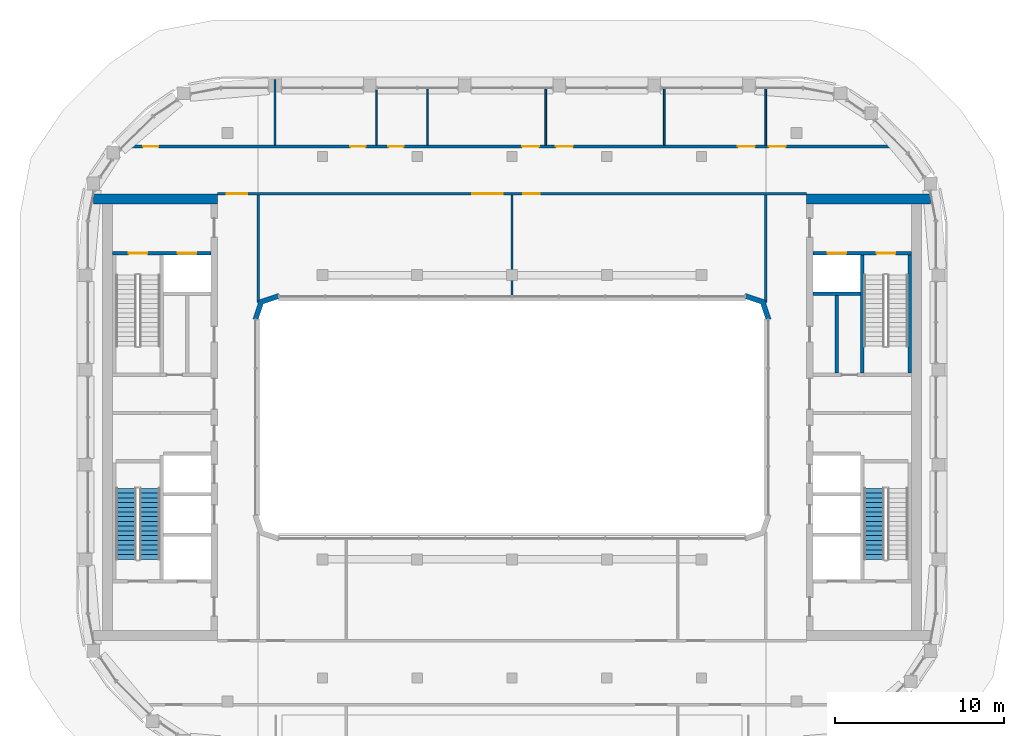
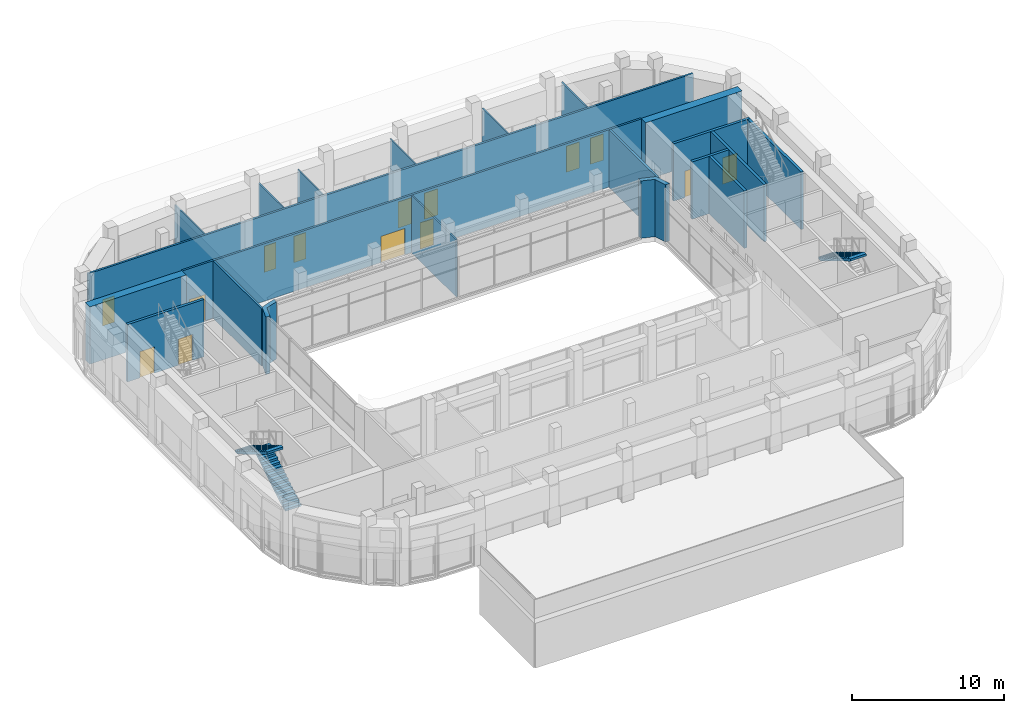
# One storey, part 15 of 23: 21 walls, 14 doors, 3 stair flights, 14 openings, 2 elements without a shape of their own.
"""IFC4 building model written with IfcOpenShell, lengths in metres."""

import ifcopenshell
import ifcopenshell.guid

model = None  # the IFC model being written
_history = None  # IfcOwnerHistory: only IFC2X3 demands one
_inside = {}  # id of a spatial element -> (the spatial element, [elements in it])
_under = {}  # id of a project, library or spatial element -> (it, [spatial elements below it])
_declared = {}  # id of a project -> (the project, [libraries it declares])
_typed = {}  # id of a type object -> (the type object, [elements of that type])
_made_of = {}  # id of a material, layer set ... -> (it, [elements and type objects made of it])


def new_model(schema):
    """Start an empty IFC model of exactly this schema.

    Asked for "IFC4X3", IfcOpenShell would pick the latest addendum, in which some entities
    have other attributes; the version numbers below select the first issue.
    IFC2X3 requires an IfcOwnerHistory on every rooted entity: one is made here for all.
    """
    global model, _history
    if schema == "IFC4X3":
        model = ifcopenshell.file(schema_version=(4, 3, 0, 0))
    else:
        model = ifcopenshell.file(schema=schema)
    _inside.clear()
    _under.clear()
    _declared.clear()
    _typed.clear()
    _made_of.clear()
    _history = None
    if model.schema == "IFC2X3":
        org = make("IfcOrganization", Name="unknown")
        user = make(
            "IfcPersonAndOrganization",
            ThePerson=make("IfcPerson", FamilyName="unknown"),
            TheOrganization=org,
        )
        app = make(
            "IfcApplication",
            ApplicationDeveloper=org,
            Version="unknown",
            ApplicationFullName="unknown",
            ApplicationIdentifier="unknown",
        )
        _history = make(
            "IfcOwnerHistory",
            OwningUser=user,
            OwningApplication=app,
            ChangeAction="ADDED",
            CreationDate=0,
        )
    return model


def make(cls, **values):
    """One entity of the class cls with the attributes given. An attribute that is None is left unset."""
    return model.create_entity(
        cls, **{name: value for name, value in values.items() if value is not None}
    )


def rooted(cls, **values):
    """An entity with a GlobalId (a new one), such as an element, a storey or a relation."""
    return make(cls, GlobalId=ifcopenshell.guid.new(), OwnerHistory=_history, **values)


def si_unit(unit_type, name, prefix=None):
    """IfcSIUnit, for example si_unit("LENGTHUNIT", "METRE", prefix="MILLI")."""
    return make("IfcSIUnit", UnitType=unit_type, Prefix=prefix, Name=name)


def assignment(units):
    """IfcUnitAssignment: the units of a project."""
    return None if units is None else make("IfcUnitAssignment", Units=units)


def point(xyz):
    """IfcCartesianPoint."""
    return None if xyz is None else make("IfcCartesianPoint", Coordinates=xyz)


def direction(xyz):
    """IfcDirection."""
    return None if xyz is None else make("IfcDirection", DirectionRatios=xyz)


def frame(location, z_axis=None, x_axis=None):
    """IfcAxis2Placement3D, a coordinate frame: its origin and axes. An axis left out is left unset."""
    return make(
        "IfcAxis2Placement3D",
        Location=point(location),
        Axis=direction(z_axis),
        RefDirection=direction(x_axis),
    )


def frame_2d(location, x_axis=None):
    """IfcAxis2Placement2D, a coordinate frame in the plane: its origin and x axis."""
    return make(
        "IfcAxis2Placement2D", Location=point(location), RefDirection=direction(x_axis)
    )


def origin():
    """The frame at (0, 0, 0) with its axes left unset."""
    return frame((0.0, 0.0, 0.0))


def place(relative_to, where):
    """IfcLocalPlacement: puts the frame where relative to a parent placement (None: the world)."""
    return make(
        "IfcLocalPlacement", PlacementRelTo=relative_to, RelativePlacement=where
    )


def context(
    kind, dimensions, precision=None, world=None, true_north=None, identifier=None
):
    """IfcGeometricRepresentationContext, for example the 3D "Model" context."""
    return make(
        "IfcGeometricRepresentationContext",
        ContextIdentifier=identifier,
        ContextType=kind,
        CoordinateSpaceDimension=dimensions,
        Precision=precision,
        WorldCoordinateSystem=world,
        TrueNorth=true_north,
    )


def subcontext(parent, identifier, kind, view, scale=None):
    """IfcGeometricRepresentationSubContext, for example "Body" below "Model"."""
    return make(
        "IfcGeometricRepresentationSubContext",
        ContextIdentifier=identifier,
        ContextType=kind,
        ParentContext=parent,
        TargetScale=scale,
        TargetView=view,
    )


def project(units=None, contexts=None):
    """IfcProject with its units and contexts."""
    return rooted(
        "IfcProject",
        Name="project",
        RepresentationContexts=contexts,
        UnitsInContext=assignment(units),
    )


def spatial(cls, under=None, at=None, **own):
    """A site, building, storey or space (cls), placed at a placement, below another one or the project."""
    s = rooted(cls, ObjectPlacement=at, **own)
    if under is not None:
        _under.setdefault(under.id(), (under, []))[1].append(s)
    return s


def polyline(points):
    """IfcPolyline through the points."""
    return make("IfcPolyline", Points=[point(p) for p in points])


def profile(cls, at=None, kind="AREA", **sizes):
    """A parametric profile (cls). Its sizes go by their IFC names, for example OverallWidth=200.0."""
    return make(cls, ProfileType=kind, Position=at, **sizes)


def rectangle(**sizes):
    """IfcRectangleProfileDef."""
    return profile("IfcRectangleProfileDef", **sizes)


def outline(outer, holes=None, kind="AREA"):
    """IfcArbitraryClosedProfileDef: a profile drawn as a closed curve; with holes, ...WithVoids."""
    if holes is None:
        return make("IfcArbitraryClosedProfileDef", ProfileType=kind, OuterCurve=outer)
    return make(
        "IfcArbitraryProfileDefWithVoids",
        ProfileType=kind,
        OuterCurve=outer,
        InnerCurves=holes,
    )


def extrude(swept, where, along, depth):
    """IfcExtrudedAreaSolid: the profile swept, set in the frame where, extruded along a direction by depth."""
    return make(
        "IfcExtrudedAreaSolid",
        SweptArea=swept,
        Position=where,
        ExtrudedDirection=direction(along),
        Depth=depth,
    )


def shape(context_of_items, identifier, shape_type, items):
    """IfcShapeRepresentation: the items that make up one representation, for example the "Body"."""
    return make(
        "IfcShapeRepresentation",
        ContextOfItems=context_of_items,
        RepresentationIdentifier=identifier,
        RepresentationType=shape_type,
        Items=items,
    )


def material(Name=None, Category=None):
    """IfcMaterial."""
    return make("IfcMaterial", Name=Name, Category=Category)


def layer(
    of_material, thickness, ventilated=None, Name=None, Category=None, Priority=None
):
    """IfcMaterialLayer: one layer of a wall or slab, of a material (None: an air gap)."""
    return make(
        "IfcMaterialLayer",
        Material=of_material,
        LayerThickness=thickness,
        IsVentilated=ventilated,
        Name=Name,
        Category=Category,
        Priority=Priority,
    )


def layer_set(layers, Name=None):
    """IfcMaterialLayerSet."""
    return make("IfcMaterialLayerSet", MaterialLayers=layers, LayerSetName=Name)


def made_of(thing, what):
    """Note that an element or type object is made of a material, layer set ...; save() writes the relation."""
    if what is not None:
        _made_of.setdefault(what.id(), (what, []))[1].append(thing)
    return thing


def type_object(cls, material=None, **own):
    """A type object (cls), such as IfcWallType, which elements share."""
    return made_of(rooted(cls, **own), material)


def element(
    cls,
    number,
    at=None,
    inside=None,
    cuts=None,
    type_object=None,
    material=None,
    context=None,
    identifier="Body",
    shape_type=None,
    held_by="IfcProductDefinitionShape",
    body=None,
    shapes=None,
    **own,
):
    """One element of the class cls, such as IfcWall. Its Tag is "e" and its number.

    at: its placement. inside: the storey or other place that contains it. cuts: it is an
    opening in that element (IfcRelVoidsElement). A single representation is given by context,
    identifier, shape_type and body (its items); several are given by shapes. held_by: the class
    of the entity that holds the representations. save() writes the other relations.
    """
    e = rooted(cls, Tag="e%d" % number, ObjectPlacement=at, **own)
    if body is not None:
        shapes = [shape(context, identifier, shape_type, body)]
    if shapes is not None:
        e.Representation = make(held_by, Representations=shapes)
    if inside is not None:
        _inside.setdefault(inside.id(), (inside, []))[1].append(e)
    if cuts is not None:
        rooted(
            "IfcRelVoidsElement", RelatingBuildingElement=cuts, RelatedOpeningElement=e
        )
    if type_object is not None:
        _typed.setdefault(type_object.id(), (type_object, []))[1].append(e)
    return made_of(e, material)


def fill(opening, filler):
    """IfcRelFillsElement: the door or window that sits in an opening."""
    return rooted(
        "IfcRelFillsElement",
        RelatingOpeningElement=opening,
        RelatedBuildingElement=filler,
    )


def aggregate(whole, parts):
    """IfcRelAggregates: a whole, such as a stair, and the parts it consists of."""
    return rooted("IfcRelAggregates", RelatingObject=whole, RelatedObjects=parts)


def save(model, path):
    """Write the relations noted so far, then the file.

    IfcRelAggregates (storeys below a building ...), IfcRelContainedInSpatialStructure (elements
    in a storey), IfcRelDefinesByType, IfcRelAssociatesMaterial and IfcRelDeclares: one each for
    every whole, place, type object, material and project.
    """
    for whole, parts in _under.values():
        aggregate(whole, parts)
    for where, things in _inside.values():
        rooted(
            "IfcRelContainedInSpatialStructure",
            RelatedElements=things,
            RelatingStructure=where,
        )
    for kind, things in _typed.values():
        rooted("IfcRelDefinesByType", RelatedObjects=things, RelatingType=kind)
    for what, things in _made_of.values():
        rooted("IfcRelAssociatesMaterial", RelatedObjects=things, RelatingMaterial=what)
    for by, libraries in _declared.values():
        rooted("IfcRelDeclares", RelatingContext=by, RelatedDefinitions=libraries)
    model.write(path)


model = new_model("IFC4")

# Units and contexts
model_context = context("Model", 3, precision=1e-05, world=origin(), true_north=direction((0.0, 1.0)))
body_context = subcontext(model_context, "Body", "Model", "MODEL_VIEW")
ifc_project = project(units=[si_unit("LENGTHUNIT", "METRE"), si_unit("AREAUNIT", "SQUARE_METRE"), si_unit("VOLUMEUNIT", "CUBIC_METRE"), si_unit("PLANEANGLEUNIT", "RADIAN"), si_unit("MASSUNIT", "GRAM", prefix="KILO")], contexts=[model_context])

# Site, building, storey
site_placement = place(None, origin())
site = spatial("IfcSite", under=ifc_project, at=site_placement, CompositionType="ELEMENT")
building_placement = place(site_placement, origin())
building = spatial("IfcBuilding", under=site, at=building_placement, Name="Kiln Ring Residences", CompositionType="ELEMENT")
storey_placement = place(building_placement, frame((0.0, 0.0, 294.5)))
storey = spatial("IfcBuildingStorey", under=building, at=storey_placement, Name="L76", CompositionType="ELEMENT", Elevation=294.5)

# Walls
ifc_material_1 = material(Name="Gypsum board on steel studs", Category="steel")
ifc_layer_1 = layer(ifc_material_1, 0.199951171875)
ifc_layer_set_1 = layer_set([ifc_layer_1], Name="CORE-PARTITION-200")
wall_type_1 = type_object("IfcWallType", Name="CORE-PARTITION-200", PredefinedType="PARTITIONING", material=ifc_layer_set_1)
wall_1_placement = place(storey_placement, frame((19.199951171875, 2.60009765625, 0.0), z_axis=(0.0, 0.0, 1.0), x_axis=(0.0, 1.0, 0.0)))
element("IfcWall", 1, at=wall_1_placement, inside=storey, type_object=wall_type_1, Name="Core partition east L76 2", PredefinedType="PARTITIONING", context=body_context, shape_type="SweptSolid", body=[
    extrude(rectangle(XDim=4.599853515625, YDim=0.199951171875, at=frame_2d((2.2998046875, 0.0))), origin(), (0.0, 0.0, 1.0), 4.60009765625),
])
ifc_material_2 = material(Name="Gypsum shaft wall system")
ifc_layer_2 = layer(ifc_material_2, 0.199951171875)
ifc_layer_set_2 = layer_set([ifc_layer_2], Name="CORE-SHAFT-WALL-200")
wall_type_2 = type_object("IfcWallType", Name="CORE-SHAFT-WALL-200", PredefinedType="PARTITIONING", material=ifc_layer_set_2)
wall_2_placement = place(storey_placement, frame((17.800048828125, 7.300048828125, 0.0), z_axis=(0.0, 0.0, 1.0), x_axis=(1.0, 0.0, 0.0)))
element("IfcWall", 2, at=wall_2_placement, inside=storey, type_object=wall_type_2, Name="Core partition east L76 8", PredefinedType="PARTITIONING", context=body_context, shape_type="SweptSolid", body=[
    extrude(rectangle(XDim=2.800048828125, YDim=0.199951171875, at=frame_2d((1.39990234375, 0.0))), origin(), (0.0, 0.0, 1.0), 4.60009765625),
])

# Wall, openings, doors
ifc_material_3 = material(Name="Concrete C40/50", Category="concrete")
ifc_layer_3 = layer(ifc_material_3, 0.199951171875)
ifc_layer_set_3 = layer_set([ifc_layer_3], Name="CORE-WALL-RC200")
wall_type_3 = type_object("IfcWallType", Name="CORE-WALL-RC200", PredefinedType="SHEAR", material=ifc_layer_set_3)
wall_3_placement = place(storey_placement, frame((-17.800048828125, 9.699951171875, 0.0), z_axis=(0.0, 0.0, 1.0), x_axis=(-1.0, 0.0, 0.0)))
wall_3 = element("IfcWall", 3, at=wall_3_placement, inside=storey, type_object=wall_type_3, Name="Core wall west L76 9", PredefinedType="SHEAR", context=body_context, shape_type="SweptSolid", body=[
    extrude(rectangle(XDim=5.800048828125, YDim=0.199951171875, at=frame_2d((2.89990234375, 0.0))), origin(), (0.0, 0.0, 1.0), 4.60009765625),
])
opening_1_placement = place(wall_3_placement, frame((0.85009765625, 0.0, 0.0)))
opening_1 = element("IfcOpeningElement", 4, at=opening_1_placement, cuts=wall_3, Name="Opening L76-CW07", PredefinedType="OPENING", context=body_context, shape_type="SweptSolid", body=[
    extrude(rectangle(XDim=1.10009765625, YDim=2.10009765625, at=frame_2d((0.550048828125, 1.050048828125))), frame((0.0, 0.10986328125, 0.0), z_axis=(0.0, -1.0, 0.0), x_axis=(1.0, 0.0, 0.0)), (0.0, 0.0, 1.0), 0.219970703125),
])
opening_2_placement = place(wall_3_placement, frame((3.75, 0.0, 0.0)))
opening_2 = element("IfcOpeningElement", 5, at=opening_2_placement, cuts=wall_3, Name="Opening L76-CW10", PredefinedType="OPENING", context=body_context, shape_type="SweptSolid", body=[
    extrude(rectangle(XDim=1.10009765625, YDim=2.10009765625, at=frame_2d((0.550048828125, 1.050048828125))), frame((0.0, 0.10986328125, 0.0), z_axis=(0.0, -1.0, 0.0), x_axis=(1.0, 0.0, 0.0)), (0.0, 0.0, 1.0), 0.219970703125),
])
ifc_material_4 = material(Name="Steel door leaf", Category="steel")
door_type_1 = type_object("IfcDoorType", Name="CORE-DOOR-LD", OperationType="DOUBLE_DOOR_SLIDING", PredefinedType="DOOR", material=ifc_material_4)
door_1_placement = place(opening_1_placement, origin())
door_1 = element("IfcDoor", 6, at=door_1_placement, inside=storey, type_object=door_type_1, Name="LD W-FF L76-CW07", OperationType="DOUBLE_DOOR_SLIDING", OverallHeight=2.10009765625, OverallWidth=1.10009765625, PredefinedType="DOOR", context=body_context, shape_type="SweptSolid", body=[
    extrude(rectangle(XDim=1.10009765625, YDim=2.10009765625, at=frame_2d((0.550048828125, 1.050048828125))), frame((0.0, 0.02490234375, 0.0), z_axis=(0.0, -1.0, 0.0), x_axis=(1.0, 0.0, 0.0)), (0.0, 0.0, 1.0), 0.050048828125),
])
fill(opening_1, door_1)
ifc_material_5 = material(Name="Steel door leaf", Category="steel")
door_type_2 = type_object("IfcDoorType", Name="CORE-DOOR-STAIR", OperationType="SINGLE_SWING_LEFT", PredefinedType="DOOR", material=ifc_material_5)
door_2_placement = place(opening_2_placement, origin())
door_2 = element("IfcDoor", 7, at=door_2_placement, inside=storey, type_object=door_type_2, Name="Stair W-STN L76-CW10", OperationType="SINGLE_SWING_RIGHT", OverallHeight=2.10009765625, OverallWidth=1.10009765625, PredefinedType="DOOR", context=body_context, shape_type="SweptSolid", body=[
    extrude(rectangle(XDim=1.10009765625, YDim=2.10009765625, at=frame_2d((0.550048828125, 1.050048828125))), frame((0.0, 0.02490234375, 0.0), z_axis=(0.0, -1.0, 0.0), x_axis=(1.0, 0.0, 0.0)), (0.0, 0.0, 1.0), 0.050048828125),
])
fill(opening_2, door_2)

# Wall
wall_4_placement = place(storey_placement, frame((20.699951171875, 2.60009765625, 0.0), z_axis=(0.0, 0.0, 1.0), x_axis=(0.0, 1.0, 0.0)))
element("IfcWall", 8, at=wall_4_placement, inside=storey, type_object=wall_type_3, Name="Core wall east L76 1", PredefinedType="SHEAR", context=body_context, shape_type="SweptSolid", body=[
    extrude(rectangle(XDim=7.0, YDim=0.199951171875, at=frame_2d((3.5, 0.0))), origin(), (0.0, 0.0, 1.0), 4.60009765625),
])

# Wall, openings, doors
wall_5_placement = place(storey_placement, frame((17.800048828125, 9.699951171875, 0.0), z_axis=(0.0, 0.0, 1.0), x_axis=(1.0, 0.0, 0.0)))
wall_5 = element("IfcWall", 9, at=wall_5_placement, inside=storey, type_object=wall_type_3, Name="Core wall east L76 9", PredefinedType="SHEAR", context=body_context, shape_type="SweptSolid", body=[
    extrude(rectangle(XDim=5.800048828125, YDim=0.199951171875, at=frame_2d((2.89990234375, 0.0))), origin(), (0.0, 0.0, 1.0), 4.60009765625),
])
opening_3_placement = place(wall_5_placement, frame((0.85009765625, 0.0, 0.0)))
opening_3 = element("IfcOpeningElement", 10, at=opening_3_placement, cuts=wall_5, Name="Opening L76-CE07", PredefinedType="OPENING", context=body_context, shape_type="SweptSolid", body=[
    extrude(rectangle(XDim=1.10009765625, YDim=2.10009765625, at=frame_2d((0.550048828125, 1.050048828125))), frame((0.0, 0.10986328125, 0.0), z_axis=(0.0, -1.0, 0.0), x_axis=(1.0, 0.0, 0.0)), (0.0, 0.0, 1.0), 0.219970703125),
])
opening_4_placement = place(wall_5_placement, frame((3.75, 0.0, 0.0)))
opening_4 = element("IfcOpeningElement", 11, at=opening_4_placement, cuts=wall_5, Name="Opening L76-CE10", PredefinedType="OPENING", context=body_context, shape_type="SweptSolid", body=[
    extrude(rectangle(XDim=1.10009765625, YDim=2.10009765625, at=frame_2d((0.550048828125, 1.050048828125))), frame((0.0, 0.10986328125, 0.0), z_axis=(0.0, -1.0, 0.0), x_axis=(1.0, 0.0, 0.0)), (0.0, 0.0, 1.0), 0.219970703125),
])
door_3_placement = place(opening_3_placement, origin())
door_3 = element("IfcDoor", 12, at=door_3_placement, inside=storey, type_object=door_type_1, Name="LD E-FF L76-CE07", OperationType="DOUBLE_DOOR_SLIDING", OverallHeight=2.10009765625, OverallWidth=1.10009765625, PredefinedType="DOOR", context=body_context, shape_type="SweptSolid", body=[
    extrude(rectangle(XDim=1.10009765625, YDim=2.10009765625, at=frame_2d((0.550048828125, 1.050048828125))), frame((0.0, 0.02490234375, 0.0), z_axis=(0.0, -1.0, 0.0), x_axis=(1.0, 0.0, 0.0)), (0.0, 0.0, 1.0), 0.050048828125),
])
fill(opening_3, door_3)
door_4_placement = place(opening_4_placement, origin())
door_4 = element("IfcDoor", 13, at=door_4_placement, inside=storey, type_object=door_type_2, Name="Stair E-STN L76-CE10", OperationType="SINGLE_SWING_LEFT", OverallHeight=2.10009765625, OverallWidth=1.10009765625, PredefinedType="DOOR", context=body_context, shape_type="SweptSolid", body=[
    extrude(rectangle(XDim=1.10009765625, YDim=2.10009765625, at=frame_2d((0.550048828125, 1.050048828125))), frame((0.0, 0.02490234375, 0.0), z_axis=(0.0, -1.0, 0.0), x_axis=(1.0, 0.0, 0.0)), (0.0, 0.0, 1.0), 0.050048828125),
])
fill(opening_4, door_4)

# Walls
wall_6_placement = place(storey_placement, frame((23.5, 2.60009765625, 0.0), z_axis=(0.0, 0.0, 1.0), x_axis=(0.0, 1.0, 0.0)))
element("IfcWall", 14, at=wall_6_placement, inside=storey, type_object=wall_type_3, Name="Core wall east L76 10", PredefinedType="SHEAR", context=body_context, shape_type="SweptSolid", body=[
    extrude(rectangle(XDim=7.0, YDim=0.199951171875, at=frame_2d((3.5, 0.0))), origin(), (0.0, 0.0, 1.0), 4.60009765625),
])
ifc_material_6 = material(Name="Concrete C60/75", Category="concrete")
ifc_layer_4 = layer(ifc_material_6, 0.60009765625)
ifc_layer_set_4 = layer_set([ifc_layer_4], Name="CORE-WALL-RC600")
wall_type_4 = type_object("IfcWallType", Name="CORE-WALL-RC600", PredefinedType="SHEAR", material=ifc_layer_set_4)
for number, where, z_axis, x_axis, name in (
    (15, (-17.39990234375, 12.89990234375, 0.0), (0.0, 0.0, 1.0), (-1.0, 0.0, 0.0), "Core wall west L76 4"),
    (16, (17.39990234375, 12.89990234375, 0.0), (0.0, 0.0, 1.0), (1.0, 0.0, 0.0), "Core wall east L76 4"),
):
    element("IfcWall", number, at=place(storey_placement, frame(where, z_axis=z_axis, x_axis=x_axis)), inside=storey, type_object=wall_type_4, Name=name, PredefinedType="SHEAR", context=body_context, shape_type="SweptSolid", body=[
        extrude(rectangle(XDim=7.320068359375, YDim=0.60009765625, at=frame_2d((3.66015625, 0.0))), origin(), (0.0, 0.0, 1.0), 4.60009765625),
    ])
ifc_material_7 = material(Name="Brick masonry, dark clay brick", Category="masonry")
ifc_layer_5 = layer(ifc_material_7, 0.300048828125)
ifc_layer_set_5 = layer_set([ifc_layer_5], Name="EW-300 BRICK WALL")
wall_type_5 = type_object("IfcWallType", Name="EW-300 BRICK WALL", PredefinedType="SOLIDWALL", material=ifc_layer_set_5)
placement = place(storey_placement, origin())
element("IfcWall", 17, at=placement, inside=storey, type_object=wall_type_5, Name="Corner wall L76 1", PredefinedType="SOLIDWALL", context=body_context, shape_type="SweptSolid", body=[
    extrude(outline(polyline([(-13.8486328125, 7.300048828125), (-14.937255859375, 6.937255859375), (-15.300048828125, 5.8486328125), (-15.300048828125, 5.800048828125), (-15.0, 5.800048828125), (-14.699951171875, 6.699951171875), (-13.800048828125, 7.0), (-13.800048828125, 7.300048828125), (-13.8486328125, 7.300048828125)])), origin(), (0.0, 0.0, 1.0), 4.60009765625),
])
element("IfcWall", 18, at=placement, inside=storey, type_object=wall_type_5, Name="Corner wall L76 2", PredefinedType="SOLIDWALL", context=body_context, shape_type="SweptSolid", body=[
    extrude(outline(polyline([(14.937255859375, 6.937255859375), (13.8486328125, 7.300048828125), (13.800048828125, 7.300048828125), (13.800048828125, 7.0), (14.699951171875, 6.699951171875), (15.0, 5.800048828125), (15.300048828125, 5.800048828125), (15.300048828125, 5.8486328125), (14.937255859375, 6.937255859375)])), origin(), (0.0, 0.0, 1.0), 4.60009765625),
])
ifc_material_8 = material(Name="Gypsum board on steel studs", Category="steel")
ifc_layer_6 = layer(ifc_material_8, 0.10009765625)
ifc_layer_set_6 = layer_set([ifc_layer_6], Name="PARTITION-100")
wall_type_6 = type_object("IfcWallType", Name="PARTITION-100", PredefinedType="PARTITIONING", material=ifc_layer_set_6)
wall_9_placement = place(storey_placement, frame((-14.0, 16.074951171875, 0.0), z_axis=(0.0, 0.0, 1.0), x_axis=(0.0, 1.0, 0.0)))
element("IfcWall", 19, at=wall_9_placement, inside=storey, type_object=wall_type_6, Name="Partition 006", PredefinedType="PARTITIONING", context=body_context, shape_type="SweptSolid", body=[
    extrude(rectangle(XDim=3.880126953125, YDim=0.10009765625, at=frame_2d((1.93994140625, 0.0))), origin(), (0.0, 0.0, 1.0), 4.60009765625),
])
wall_10_placement = place(storey_placement, frame((-8.0, 16.074951171875, 0.0), z_axis=(0.0, 0.0, 1.0), x_axis=(0.0, 1.0, 0.0)))
element("IfcWall", 20, at=wall_10_placement, inside=storey, type_object=wall_type_6, Name="Partition 009", PredefinedType="PARTITIONING", context=body_context, shape_type="SweptSolid", body=[
    extrude(rectangle(XDim=3.275146484375, YDim=0.10009765625, at=frame_2d((1.6376953125, 0.0))), origin(), (0.0, 0.0, 1.0), 4.60009765625),
])
wall_11_placement = place(storey_placement, frame((-5.0, 16.074951171875, 0.0), z_axis=(0.0, 0.0, 1.0), x_axis=(0.0, 1.0, 0.0)))
element("IfcWall", 21, at=wall_11_placement, inside=storey, type_object=wall_type_6, Name="Partition 010", PredefinedType="PARTITIONING", context=body_context, shape_type="SweptSolid", body=[
    extrude(rectangle(XDim=3.339111328125, YDim=0.10009765625, at=frame_2d((1.66943359375, 0.0))), origin(), (0.0, 0.0, 1.0), 4.60009765625),
])
wall_12_placement = place(storey_placement, frame((0.0, 7.25, 0.0), z_axis=(0.0, 0.0, 1.0), x_axis=(0.0, 1.0, 0.0)))
element("IfcWall", 22, at=wall_12_placement, inside=storey, type_object=wall_type_6, Name="Partition 011", PredefinedType="PARTITIONING", context=body_context, shape_type="SweptSolid", body=[
    extrude(rectangle(XDim=5.875, YDim=0.10009765625, at=frame_2d((2.9375, 0.0))), origin(), (0.0, 0.0, 1.0), 4.60009765625),
])
for number, where, z_axis, x_axis, name in (
    (23, (2.0, 16.074951171875, 0.0), (0.0, 0.0, 1.0), (0.0, 1.0, 0.0), "Partition 012"),
    (24, (9.0, 16.074951171875, 0.0), (0.0, 0.0, 1.0), (0.0, 1.0, 0.0), "Partition 013"),
    (25, (15.0, 16.074951171875, 0.0), (0.0, 0.0, 1.0), (0.0, 1.0, 0.0), "Partition 016"),
):
    element("IfcWall", number, at=place(storey_placement, frame(where, z_axis=z_axis, x_axis=x_axis)), inside=storey, type_object=wall_type_6, Name=name, PredefinedType="PARTITIONING", context=body_context, shape_type="SweptSolid", body=[
        extrude(rectangle(XDim=3.339111328125, YDim=0.10009765625, at=frame_2d((1.66943359375, 0.0))), origin(), (0.0, 0.0, 1.0), 4.60009765625),
    ])

# Wall, openings, doors
ifc_material_9 = material(Name="Brick masonry partition", Category="masonry")
ifc_layer_7 = layer(ifc_material_9, 0.14990234375)
ifc_layer_set_7 = layer_set([ifc_layer_7], Name="PARTITION-150-ei60")
wall_type_7 = type_object("IfcWallType", Name="PARTITION-150-ei60", PredefinedType="PARTITIONING", material=ifc_layer_set_7)
wall_13_placement = place(storey_placement, frame((-17.39990234375, 13.199951171875, 0.0), z_axis=(0.0, 0.0, 1.0), x_axis=(1.0, 0.0, 0.0)))
wall_13 = element("IfcWall", 26, at=wall_13_placement, inside=storey, type_object=wall_type_7, Name="Partition 002", PredefinedType="PARTITIONING", context=body_context, shape_type="SweptSolid", body=[
    extrude(rectangle(XDim=34.7998046875, YDim=0.14990234375, at=frame_2d((17.39990234375, 0.0))), origin(), (0.0, 0.0, 1.0), 4.60009765625),
])
opening_5_placement = place(wall_13_placement, frame((0.550048828125, 0.0, 0.0)))
opening_5 = element("IfcOpeningElement", 27, at=opening_5_placement, cuts=wall_13, Name="Opening L76-D001", PredefinedType="OPENING", context=body_context, shape_type="SweptSolid", body=[
    extrude(rectangle(XDim=1.199951171875, YDim=2.10009765625, at=frame_2d((0.60009765625, 1.050048828125))), frame((0.0, 0.0849609375, 0.0), z_axis=(0.0, -1.0, 0.0), x_axis=(1.0, 0.0, 0.0)), (0.0, 0.0, 1.0), 0.169921875),
])
opening_6_placement = place(wall_13_placement, frame((15.050048828125, 0.0, 0.0)))
opening_6 = element("IfcOpeningElement", 28, at=opening_6_placement, cuts=wall_13, Name="Opening L76-D002", PredefinedType="OPENING", context=body_context, shape_type="SweptSolid", body=[
    extrude(rectangle(XDim=1.800048828125, YDim=2.10009765625, at=frame_2d((0.89990234375, 1.050048828125))), frame((0.0, 0.0849609375, 0.0), z_axis=(0.0, -1.0, 0.0), x_axis=(1.0, 0.0, 0.0)), (0.0, 0.0, 1.0), 0.169921875),
])
opening_7_placement = place(wall_13_placement, frame((18.050048828125, 0.0, 0.0)))
opening_7 = element("IfcOpeningElement", 29, at=opening_7_placement, cuts=wall_13, Name="Opening L76-D003", PredefinedType="OPENING", context=body_context, shape_type="SweptSolid", body=[
    extrude(rectangle(XDim=1.0, YDim=2.10009765625, at=frame_2d((0.5, 1.050048828125))), frame((0.0, 0.0849609375, 0.0), z_axis=(0.0, -1.0, 0.0), x_axis=(1.0, 0.0, 0.0)), (0.0, 0.0, 1.0), 0.169921875),
])
ifc_material_10 = material(Name="Steel faced fire door leaf", Category="steel")
door_type_3 = type_object("IfcDoorType", Name="FLAT-DOOR-1000-FR", OperationType="SINGLE_SWING_LEFT", PredefinedType="DOOR", material=ifc_material_10)
door_5_placement = place(opening_7_placement, origin())
door_5 = element("IfcDoor", 30, at=door_5_placement, inside=storey, type_object=door_type_3, Name="Door L76-D003", OperationType="SINGLE_SWING_LEFT", OverallHeight=2.10009765625, OverallWidth=1.0, PredefinedType="DOOR", context=body_context, shape_type="SweptSolid", body=[
    extrude(rectangle(XDim=1.0, YDim=2.10009765625, at=frame_2d((0.5, 1.050048828125))), frame((0.0, 0.02490234375, 0.0), z_axis=(0.0, -1.0, 0.0), x_axis=(1.0, 0.0, 0.0)), (0.0, 0.0, 1.0), 0.050048828125),
])
fill(opening_7, door_5)
ifc_material_11 = material(Name="Steel faced fire door leaf", Category="steel")
door_type_4 = type_object("IfcDoorType", Name="FLAT-DOOR-1200-FR", OperationType="SINGLE_SWING_LEFT", PredefinedType="DOOR", material=ifc_material_11)
door_6_placement = place(opening_5_placement, origin())
door_6 = element("IfcDoor", 31, at=door_6_placement, inside=storey, type_object=door_type_4, Name="Door L76-D001", OperationType="SINGLE_SWING_RIGHT", OverallHeight=2.10009765625, OverallWidth=1.199951171875, PredefinedType="DOOR", context=body_context, shape_type="SweptSolid", body=[
    extrude(rectangle(XDim=1.199951171875, YDim=2.10009765625, at=frame_2d((0.60009765625, 1.050048828125))), frame((0.0, 0.02490234375, 0.0), z_axis=(0.0, -1.0, 0.0), x_axis=(1.0, 0.0, 0.0)), (0.0, 0.0, 1.0), 0.050048828125),
])
fill(opening_5, door_6)
ifc_material_12 = material(Name="Steel faced fire door leaf", Category="steel")
door_type_5 = type_object("IfcDoorType", Name="FLAT-DOOR-1800-FR", OperationType="SINGLE_SWING_LEFT", PredefinedType="DOOR", material=ifc_material_12)
door_7_placement = place(opening_6_placement, origin())
door_7 = element("IfcDoor", 32, at=door_7_placement, inside=storey, type_object=door_type_5, Name="Door L76-D002", OperationType="SINGLE_SWING_RIGHT", OverallHeight=2.10009765625, OverallWidth=1.800048828125, PredefinedType="DOOR", context=body_context, shape_type="SweptSolid", body=[
    extrude(rectangle(XDim=1.800048828125, YDim=2.10009765625, at=frame_2d((0.89990234375, 1.050048828125))), frame((0.0, 0.02490234375, 0.0), z_axis=(0.0, -1.0, 0.0), x_axis=(1.0, 0.0, 0.0)), (0.0, 0.0, 1.0), 0.050048828125),
])
fill(opening_6, door_7)

wall_14_placement = place(storey_placement, frame((-22.9453125, 16.0, 0.0), z_axis=(0.0, 0.0, 1.0), x_axis=(1.0, 0.0, 0.0)))
wall_14 = element("IfcWall", 33, at=wall_14_placement, inside=storey, type_object=wall_type_7, Name="Partition 003", PredefinedType="PARTITIONING", context=body_context, shape_type="SweptSolid", body=[
    extrude(rectangle(XDim=45.890625, YDim=0.14990234375, at=frame_2d((22.9453125, 0.0))), origin(), (0.0, 0.0, 1.0), 4.60009765625),
])
opening_8_placement = place(wall_14_placement, frame((1.145263671875, 0.0, 0.0)))
opening_8 = element("IfcOpeningElement", 34, at=opening_8_placement, cuts=wall_14, Name="Opening L76-D004", PredefinedType="OPENING", context=body_context, shape_type="SweptSolid", body=[
    extrude(rectangle(XDim=0.89990234375, YDim=2.10009765625, at=frame_2d((0.449951171875, 1.050048828125))), frame((0.0, 0.0849609375, 0.0), z_axis=(0.0, -1.0, 0.0), x_axis=(1.0, 0.0, 0.0)), (0.0, 0.0, 1.0), 0.169921875),
])
opening_9_placement = place(wall_14_placement, frame((13.395263671875, 0.0, 0.0)))
opening_9 = element("IfcOpeningElement", 35, at=opening_9_placement, cuts=wall_14, Name="Opening L76-D005", PredefinedType="OPENING", context=body_context, shape_type="SweptSolid", body=[
    extrude(rectangle(XDim=0.89990234375, YDim=2.10009765625, at=frame_2d((0.449951171875, 1.050048828125))), frame((0.0, 0.0849609375, 0.0), z_axis=(0.0, -1.0, 0.0), x_axis=(1.0, 0.0, 0.0)), (0.0, 0.0, 1.0), 0.169921875),
])
opening_10_placement = place(wall_14_placement, frame((15.645263671875, 0.0, 0.0)))
opening_10 = element("IfcOpeningElement", 36, at=opening_10_placement, cuts=wall_14, Name="Opening L76-D006", PredefinedType="OPENING", context=body_context, shape_type="SweptSolid", body=[
    extrude(rectangle(XDim=0.89990234375, YDim=2.10009765625, at=frame_2d((0.449951171875, 1.050048828125))), frame((0.0, 0.0849609375, 0.0), z_axis=(0.0, -1.0, 0.0), x_axis=(1.0, 0.0, 0.0)), (0.0, 0.0, 1.0), 0.169921875),
])
opening_11_placement = place(wall_14_placement, frame((23.545166015625, 0.0, 0.0)))
opening_11 = element("IfcOpeningElement", 37, at=opening_11_placement, cuts=wall_14, Name="Opening L76-D007", PredefinedType="OPENING", context=body_context, shape_type="SweptSolid", body=[
    extrude(rectangle(XDim=1.0, YDim=2.10009765625, at=frame_2d((0.5, 1.050048828125))), frame((0.0, 0.0849609375, 0.0), z_axis=(0.0, -1.0, 0.0), x_axis=(1.0, 0.0, 0.0)), (0.0, 0.0, 1.0), 0.169921875),
])
opening_12_placement = place(wall_14_placement, frame((25.545166015625, 0.0, 0.0)))
opening_12 = element("IfcOpeningElement", 38, at=opening_12_placement, cuts=wall_14, Name="Opening L76-D008", PredefinedType="OPENING", context=body_context, shape_type="SweptSolid", body=[
    extrude(rectangle(XDim=1.0, YDim=2.10009765625, at=frame_2d((0.5, 1.050048828125))), frame((0.0, 0.0849609375, 0.0), z_axis=(0.0, -1.0, 0.0), x_axis=(1.0, 0.0, 0.0)), (0.0, 0.0, 1.0), 0.169921875),
])
opening_13_placement = place(wall_14_placement, frame((36.295166015625, 0.0, 0.0)))
opening_13 = element("IfcOpeningElement", 39, at=opening_13_placement, cuts=wall_14, Name="Opening L76-D009", PredefinedType="OPENING", context=body_context, shape_type="SweptSolid", body=[
    extrude(rectangle(XDim=1.0, YDim=2.10009765625, at=frame_2d((0.5, 1.050048828125))), frame((0.0, 0.0849609375, 0.0), z_axis=(0.0, -1.0, 0.0), x_axis=(1.0, 0.0, 0.0)), (0.0, 0.0, 1.0), 0.169921875),
])
opening_14_placement = place(wall_14_placement, frame((38.1181640625, 0.0, 0.0)))
opening_14 = element("IfcOpeningElement", 40, at=opening_14_placement, cuts=wall_14, Name="Opening L76-D010", PredefinedType="OPENING", context=body_context, shape_type="SweptSolid", body=[
    extrude(rectangle(XDim=1.0, YDim=2.10009765625, at=frame_2d((0.5, 1.050048828125))), frame((0.0, 0.0849609375, 0.0), z_axis=(0.0, -1.0, 0.0), x_axis=(1.0, 0.0, 0.0)), (0.0, 0.0, 1.0), 0.169921875),
])
door_8_placement = place(opening_11_placement, origin())
door_8 = element("IfcDoor", 41, at=door_8_placement, inside=storey, type_object=door_type_3, Name="Door L76-D007", OperationType="SINGLE_SWING_LEFT", OverallHeight=2.10009765625, OverallWidth=1.0, PredefinedType="DOOR", context=body_context, shape_type="SweptSolid", body=[
    extrude(rectangle(XDim=1.0, YDim=2.10009765625, at=frame_2d((0.5, 1.050048828125))), frame((0.0, 0.02490234375, 0.0), z_axis=(0.0, -1.0, 0.0), x_axis=(1.0, 0.0, 0.0)), (0.0, 0.0, 1.0), 0.050048828125),
])
fill(opening_11, door_8)
door_9_placement = place(opening_12_placement, origin())
door_9 = element("IfcDoor", 42, at=door_9_placement, inside=storey, type_object=door_type_3, Name="Door L76-D008", OperationType="SINGLE_SWING_RIGHT", OverallHeight=2.10009765625, OverallWidth=1.0, PredefinedType="DOOR", context=body_context, shape_type="SweptSolid", body=[
    extrude(rectangle(XDim=1.0, YDim=2.10009765625, at=frame_2d((0.5, 1.050048828125))), frame((0.0, 0.02490234375, 0.0), z_axis=(0.0, -1.0, 0.0), x_axis=(1.0, 0.0, 0.0)), (0.0, 0.0, 1.0), 0.050048828125),
])
fill(opening_12, door_9)
door_10_placement = place(opening_13_placement, origin())
door_10 = element("IfcDoor", 43, at=door_10_placement, inside=storey, type_object=door_type_3, Name="Door L76-D009", OperationType="SINGLE_SWING_LEFT", OverallHeight=2.10009765625, OverallWidth=1.0, PredefinedType="DOOR", context=body_context, shape_type="SweptSolid", body=[
    extrude(rectangle(XDim=1.0, YDim=2.10009765625, at=frame_2d((0.5, 1.050048828125))), frame((0.0, 0.02490234375, 0.0), z_axis=(0.0, -1.0, 0.0), x_axis=(1.0, 0.0, 0.0)), (0.0, 0.0, 1.0), 0.050048828125),
])
fill(opening_13, door_10)
door_11_placement = place(opening_14_placement, origin())
door_11 = element("IfcDoor", 44, at=door_11_placement, inside=storey, type_object=door_type_3, Name="Door L76-D010", OperationType="SINGLE_SWING_RIGHT", OverallHeight=2.10009765625, OverallWidth=1.0, PredefinedType="DOOR", context=body_context, shape_type="SweptSolid", body=[
    extrude(rectangle(XDim=1.0, YDim=2.10009765625, at=frame_2d((0.5, 1.050048828125))), frame((0.0, 0.02490234375, 0.0), z_axis=(0.0, -1.0, 0.0), x_axis=(1.0, 0.0, 0.0)), (0.0, 0.0, 1.0), 0.050048828125),
])
fill(opening_14, door_11)
ifc_material_13 = material(Name="Steel faced fire door leaf", Category="steel")
door_type_6 = type_object("IfcDoorType", Name="FLAT-DOOR-900-FR", OperationType="SINGLE_SWING_LEFT", PredefinedType="DOOR", material=ifc_material_13)
door_12_placement = place(opening_8_placement, origin())
door_12 = element("IfcDoor", 45, at=door_12_placement, inside=storey, type_object=door_type_6, Name="Door L76-D004", OperationType="SINGLE_SWING_RIGHT", OverallHeight=2.10009765625, OverallWidth=0.89990234375, PredefinedType="DOOR", context=body_context, shape_type="SweptSolid", body=[
    extrude(rectangle(XDim=0.89990234375, YDim=2.10009765625, at=frame_2d((0.449951171875, 1.050048828125))), frame((0.0, 0.02490234375, 0.0), z_axis=(0.0, -1.0, 0.0), x_axis=(1.0, 0.0, 0.0)), (0.0, 0.0, 1.0), 0.050048828125),
])
fill(opening_8, door_12)
door_13_placement = place(opening_9_placement, origin())
door_13 = element("IfcDoor", 46, at=door_13_placement, inside=storey, type_object=door_type_6, Name="Door L76-D005", OperationType="SINGLE_SWING_LEFT", OverallHeight=2.10009765625, OverallWidth=0.89990234375, PredefinedType="DOOR", context=body_context, shape_type="SweptSolid", body=[
    extrude(rectangle(XDim=0.89990234375, YDim=2.10009765625, at=frame_2d((0.449951171875, 1.050048828125))), frame((0.0, 0.02490234375, 0.0), z_axis=(0.0, -1.0, 0.0), x_axis=(1.0, 0.0, 0.0)), (0.0, 0.0, 1.0), 0.050048828125),
])
fill(opening_9, door_13)
door_14_placement = place(opening_10_placement, origin())
door_14 = element("IfcDoor", 47, at=door_14_placement, inside=storey, type_object=door_type_6, Name="Door L76-D006", OperationType="SINGLE_SWING_RIGHT", OverallHeight=2.10009765625, OverallWidth=0.89990234375, PredefinedType="DOOR", context=body_context, shape_type="SweptSolid", body=[
    extrude(rectangle(XDim=0.89990234375, YDim=2.10009765625, at=frame_2d((0.449951171875, 1.050048828125))), frame((0.0, 0.02490234375, 0.0), z_axis=(0.0, -1.0, 0.0), x_axis=(1.0, 0.0, 0.0)), (0.0, 0.0, 1.0), 0.050048828125),
])
fill(opening_10, door_14)

# Walls
for number, where, z_axis, x_axis, name in (
    (48, (-15.0, 6.768798828125, 0.0), (0.0, 0.0, 1.0), (0.0, 1.0, 0.0), "Partition 005"),
    (49, (15.0, 6.768798828125, 0.0), (0.0, 0.0, 1.0), (0.0, 1.0, 0.0), "Partition 018"),
):
    element("IfcWall", number, at=place(storey_placement, frame(where, z_axis=z_axis, x_axis=x_axis)), inside=storey, type_object=wall_type_7, Name=name, PredefinedType="PARTITIONING", context=body_context, shape_type="SweptSolid", body=[
        extrude(rectangle(XDim=6.356201171875, YDim=0.14990234375, at=frame_2d((3.17822265625, 0.0))), origin(), (0.0, 0.0, 1.0), 4.60009765625),
    ])

# Stair, stair flights
ifc_material_14 = material(Name="Concrete C40/50", Category="concrete")
stair_type = type_object("IfcStairType", Name="CORE-STAIR", PredefinedType="HALF_TURN_STAIR", material=ifc_material_14)
stair_1 = element("IfcStair", 50, at=placement, inside=storey, type_object=stair_type, Name="L76 stair W-STS", PredefinedType="HALF_TURN_STAIR")
ifc_material_15 = material(Name="Concrete C40/50", Category="concrete")
stair_flight_type = type_object("IfcStairFlightType", Name="CORE-STAIR-FLIGHT", PredefinedType="STRAIGHT", material=ifc_material_15)
stair_flight_1_placement = place(storey_placement, frame((-21.39990234375, -8.39990234375, 0.0), z_axis=(0.0, 0.0, 1.0), x_axis=(0.0, 1.0, 0.0)))
stair_flight_1 = element("IfcStairFlight", 51, at=stair_flight_1_placement, type_object=stair_flight_type, Name="W-STS flight 1", NumberOfRisers=16, NumberOfTreads=15, PredefinedType="STRAIGHT", RiserHeight=0.16875, TreadLength=0.28, context=body_context, shape_type="SweptSolid", body=[
    extrude(outline(polyline([(0.0, 0.0), (0.0, 0.168701171875), (0.280029296875, 0.168701171875), (0.280029296875, 0.33740234375), (0.56005859375, 0.33740234375), (0.56005859375, 0.50634765625), (0.840087890625, 0.50634765625), (0.840087890625, 0.675048828125), (1.1201171875, 0.675048828125), (1.1201171875, 0.84375), (1.39990234375, 0.84375), (1.39990234375, 1.012451171875), (1.679931640625, 1.012451171875), (1.679931640625, 1.18115234375), (1.9599609375, 1.18115234375), (1.9599609375, 1.35009765625), (2.239990234375, 1.35009765625), (2.239990234375, 1.518798828125), (2.52001953125, 1.518798828125), (2.52001953125, 1.6875), (2.800048828125, 1.6875), (2.800048828125, 1.856201171875), (3.080078125, 1.856201171875), (3.080078125, 2.02490234375), (3.360107421875, 2.02490234375), (3.360107421875, 2.19384765625), (3.639892578125, 2.19384765625), (3.639892578125, 2.362548828125), (3.919921875, 2.362548828125), (3.919921875, 2.53125), (4.199951171875, 2.53125), (4.199951171875, 2.699951171875), (4.199951171875, 2.356201171875), (0.29052734375, 0.0), (0.0, 0.0)])), frame((0.0, 0.60009765625, 0.0), z_axis=(0.0, -1.0, 0.0), x_axis=(1.0, 0.0, 0.0)), (0.0, 0.0, 1.0), 1.199951171875),
])
stair_flight_2_placement = place(storey_placement, frame((-22.800048828125, -4.199951171875, 2.699951171875), z_axis=(0.0, 0.0, 1.0), x_axis=(0.0, -1.0, 0.0)))
stair_flight_2 = element("IfcStairFlight", 52, at=stair_flight_2_placement, type_object=stair_flight_type, Name="W-STS flight 2", NumberOfRisers=16, NumberOfTreads=15, PredefinedType="STRAIGHT", RiserHeight=0.16875, TreadLength=0.28, context=body_context, shape_type="SweptSolid", body=[
    extrude(outline(polyline([(0.0, 0.0), (0.0, 0.168701171875), (0.280029296875, 0.168701171875), (0.280029296875, 0.33740234375), (0.56005859375, 0.33740234375), (0.56005859375, 0.50634765625), (0.840087890625, 0.50634765625), (0.840087890625, 0.675048828125), (1.1201171875, 0.675048828125), (1.1201171875, 0.84375), (1.39990234375, 0.84375), (1.39990234375, 1.012451171875), (1.679931640625, 1.012451171875), (1.679931640625, 1.18115234375), (1.9599609375, 1.18115234375), (1.9599609375, 1.35009765625), (2.239990234375, 1.35009765625), (2.239990234375, 1.518798828125), (2.52001953125, 1.518798828125), (2.52001953125, 1.6875), (2.800048828125, 1.6875), (2.800048828125, 1.856201171875), (3.080078125, 1.856201171875), (3.080078125, 2.02490234375), (3.360107421875, 2.02490234375), (3.360107421875, 2.19384765625), (3.639892578125, 2.19384765625), (3.639892578125, 2.362548828125), (3.919921875, 2.362548828125), (3.919921875, 2.53125), (4.199951171875, 2.53125), (4.199951171875, 2.699951171875), (4.199951171875, 2.356201171875), (0.29052734375, 0.0), (0.0, 0.0)])), frame((0.0, 0.60009765625, 0.0), z_axis=(0.0, -1.0, 0.0), x_axis=(1.0, 0.0, 0.0)), (0.0, 0.0, 1.0), 1.199951171875),
])
aggregate(stair_1, [stair_flight_1, stair_flight_2])

# Stair, stair flight
stair_2 = element("IfcStair", 53, at=placement, inside=storey, type_object=stair_type, Name="L76 stair E-STS", PredefinedType="HALF_TURN_STAIR")
stair_flight_3_placement = place(storey_placement, frame((21.39990234375, -4.199951171875, 2.699951171875), z_axis=(0.0, 0.0, 1.0), x_axis=(0.0, -1.0, 0.0)))
stair_flight_3 = element("IfcStairFlight", 54, at=stair_flight_3_placement, type_object=stair_flight_type, Name="E-STS flight 2", NumberOfRisers=16, NumberOfTreads=15, PredefinedType="STRAIGHT", RiserHeight=0.16875, TreadLength=0.28, context=body_context, shape_type="SweptSolid", body=[
    extrude(outline(polyline([(0.0, 0.0), (0.0, 0.168701171875), (0.280029296875, 0.168701171875), (0.280029296875, 0.33740234375), (0.56005859375, 0.33740234375), (0.56005859375, 0.50634765625), (0.840087890625, 0.50634765625), (0.840087890625, 0.675048828125), (1.1201171875, 0.675048828125), (1.1201171875, 0.84375), (1.39990234375, 0.84375), (1.39990234375, 1.012451171875), (1.679931640625, 1.012451171875), (1.679931640625, 1.18115234375), (1.9599609375, 1.18115234375), (1.9599609375, 1.35009765625), (2.239990234375, 1.35009765625), (2.239990234375, 1.518798828125), (2.52001953125, 1.518798828125), (2.52001953125, 1.6875), (2.800048828125, 1.6875), (2.800048828125, 1.856201171875), (3.080078125, 1.856201171875), (3.080078125, 2.02490234375), (3.360107421875, 2.02490234375), (3.360107421875, 2.19384765625), (3.639892578125, 2.19384765625), (3.639892578125, 2.362548828125), (3.919921875, 2.362548828125), (3.919921875, 2.53125), (4.199951171875, 2.53125), (4.199951171875, 2.699951171875), (4.199951171875, 2.356201171875), (0.29052734375, 0.0), (0.0, 0.0)])), frame((0.0, 0.60009765625, 0.0), z_axis=(0.0, -1.0, 0.0), x_axis=(1.0, 0.0, 0.0)), (0.0, 0.0, 1.0), 1.199951171875),
])
aggregate(stair_2, [stair_flight_3])

save(model, "model.ifc")
